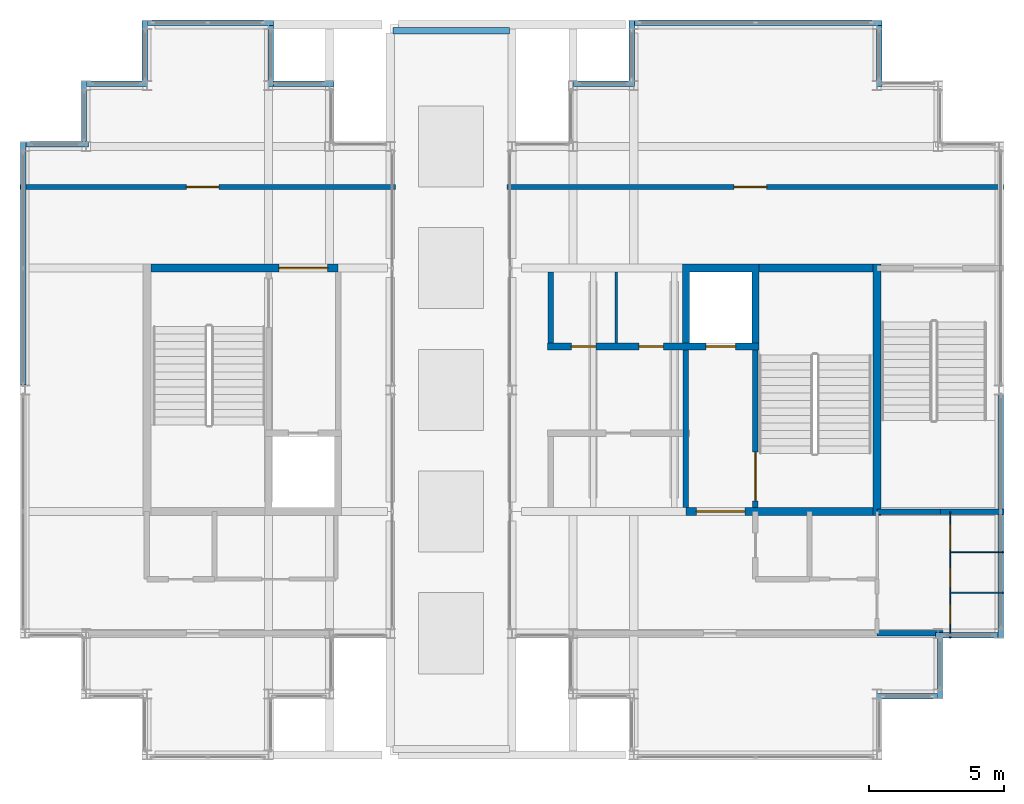
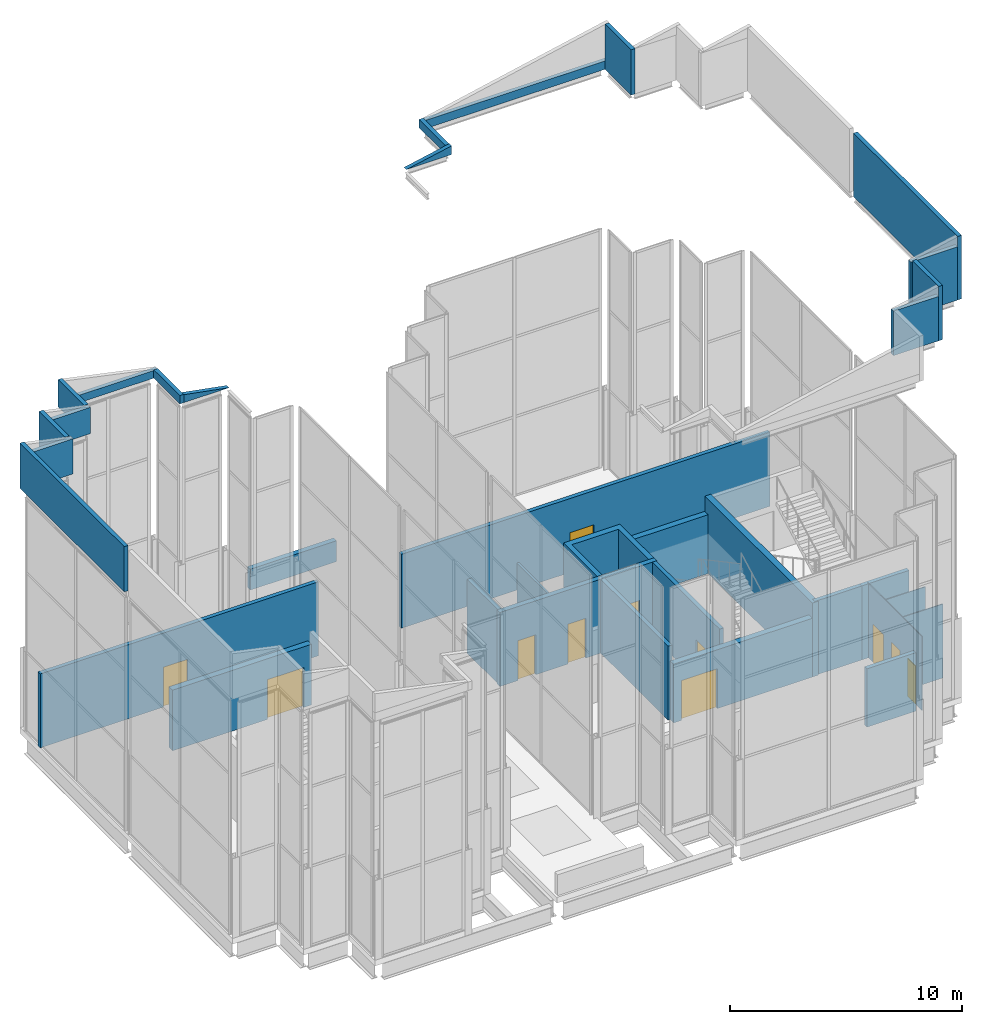
# One storey, part 15 of 23: 35 walls, 11 doors, 11 openings.
"""IFC4 building model written with IfcOpenShell, lengths in metres."""

from ifc_helpers import new_model, si_unit, direction, frame, frame_2d, origin, place, context, subcontext, project, spatial, polyline, rectangle, outline, extrude, material, layer, layer_set, type_object, element, fill, save


model = new_model("IFC4")

# Units and contexts
model_context = context("Model", 3, precision=1e-05, world=origin(), true_north=direction((0.0, 1.0)))
body_context = subcontext(model_context, "Body", "Model", "MODEL_VIEW")
ifc_project = project(units=[si_unit("LENGTHUNIT", "METRE"), si_unit("AREAUNIT", "SQUARE_METRE"), si_unit("VOLUMEUNIT", "CUBIC_METRE"), si_unit("PLANEANGLEUNIT", "RADIAN"), si_unit("MASSUNIT", "GRAM", prefix="KILO")], contexts=[model_context])

# Site, building, storey
site_placement = place(None, origin())
site = spatial("IfcSite", under=ifc_project, at=site_placement, CompositionType="ELEMENT")
building_placement = place(site_placement, origin())
building = spatial("IfcBuilding", under=site, at=building_placement, Name="Caravel Reach Hotel and Residences", CompositionType="ELEMENT")
storey_placement = place(building_placement, frame((0.0, 0.0, 312.800048828125)))
storey = spatial("IfcBuildingStorey", under=building, at=storey_placement, Name="L79", CompositionType="ELEMENT", Elevation=312.800048828125)

# Walls
ifc_material_1 = material(Name="Autoclaved aerated block wall")
ifc_layer_1 = layer(ifc_material_1, 0.199951171875)
ifc_layer_set_1 = layer_set([ifc_layer_1], Name="Compartment wall 200 mm EI 120")
wall_type_1 = type_object("IfcWallType", Name="Compartment wall 200 mm EI 120", PredefinedType="PARTITIONING", material=ifc_layer_set_1)
wall_1_placement = place(storey_placement, frame((32.935791015625, 28.72509765625, 0.0), z_axis=(0.0, 0.0, 1.0), x_axis=(0.0, 1.0, 0.0)))
element("IfcWall", 1, at=wall_1_placement, inside=storey, type_object=wall_type_1, Name="L79 store partition", PredefinedType="PARTITIONING", context=body_context, shape_type="SweptSolid", body=[
    extrude(rectangle(XDim=2.625, YDim=0.199951171875, at=frame_2d((1.3125, 0.0))), origin(), (0.0, 0.0, 1.0), 3.89990234375),
])
wall_2_placement = place(storey_placement, frame((45.0, 18.0, 0.0), z_axis=(0.0, 0.0, 1.0), x_axis=(1.0, 0.0, 0.0)))
element("IfcWall", 2, at=wall_2_placement, inside=storey, type_object=wall_type_1, Name="L79 wall w007", PredefinedType="PARTITIONING", context=body_context, shape_type="SweptSolid", body=[
    extrude(rectangle(XDim=2.43994140625, YDim=0.199951171875, at=frame_2d((1.219970703125, 0.0))), origin(), (0.0, 0.0, 1.0), 3.079833984375),
])

# Wall, opening, door
wall_3_placement = place(storey_placement, frame((31.31005859375, 34.5, 0.0), z_axis=(0.0, 0.0, 1.0), x_axis=(1.0, 0.0, 0.0)))
wall_3 = element("IfcWall", 3, at=wall_3_placement, inside=storey, type_object=wall_type_1, Name="L79 wall w011", PredefinedType="PARTITIONING", context=body_context, shape_type="SweptSolid", body=[
    extrude(rectangle(XDim=18.3798828125, YDim=0.199951171875, at=frame_2d((9.18994140625, 0.0))), origin(), (0.0, 0.0, 1.0), 3.89990234375),
])
opening_1_placement = place(wall_3_placement, frame((8.39990234375, 0.0, 0.0)))
opening_1 = element("IfcOpeningElement", 4, at=opening_1_placement, cuts=wall_3, Name="Opening D79-016", PredefinedType="OPENING", context=body_context, shape_type="SweptSolid", body=[
    extrude(rectangle(XDim=1.199951171875, YDim=2.10009765625, at=frame_2d((0.60009765625, 1.050048828125))), frame((0.0, 0.10986328125, 0.0), z_axis=(0.0, -1.0, 0.0), x_axis=(1.0, 0.0, 0.0)), (0.0, 0.0, 1.0), 0.219970703125),
])
ifc_material_2 = material(Name="Steel fire door leaf", Category="steel")
door_type_1 = type_object("IfcDoorType", Name="Plant room door 1200 x 2100 EI 60", OperationType="SINGLE_SWING_LEFT", PredefinedType="DOOR", material=ifc_material_2)
door_1_placement = place(opening_1_placement, origin())
door_1 = element("IfcDoor", 5, at=door_1_placement, inside=storey, type_object=door_type_1, Name="door D79-016", OperationType="SINGLE_SWING_LEFT", OverallHeight=2.10009765625, OverallWidth=1.199951171875, PredefinedType="DOOR", context=body_context, shape_type="SweptSolid", body=[
    extrude(rectangle(XDim=1.199951171875, YDim=2.10009765625, at=frame_2d((0.60009765625, 1.050048828125))), frame((0.0, 0.02490234375, 0.0), z_axis=(0.0, -1.0, 0.0), x_axis=(1.0, 0.0, 0.0)), (0.0, 0.0, 1.0), 0.050048828125),
])
fill(opening_1, door_1)

wall_4_placement = place(storey_placement, frame((13.31005859375, 34.5, 0.0), z_axis=(0.0, 0.0, 1.0), x_axis=(1.0, 0.0, 0.0)))
wall_4 = element("IfcWall", 6, at=wall_4_placement, inside=storey, type_object=wall_type_1, Name="L79 wall w012", PredefinedType="PARTITIONING", context=body_context, shape_type="SweptSolid", body=[
    extrude(rectangle(XDim=13.8798828125, YDim=0.199951171875, at=frame_2d((6.93994140625, 0.0))), origin(), (0.0, 0.0, 1.0), 3.89990234375),
])
opening_2_placement = place(wall_4_placement, frame((6.14990234375, 0.0, 0.0)))
opening_2 = element("IfcOpeningElement", 7, at=opening_2_placement, cuts=wall_4, Name="Opening D79-018", PredefinedType="OPENING", context=body_context, shape_type="SweptSolid", body=[
    extrude(rectangle(XDim=1.199951171875, YDim=2.10009765625, at=frame_2d((0.60009765625, 1.050048828125))), frame((0.0, 0.10986328125, 0.0), z_axis=(0.0, -1.0, 0.0), x_axis=(1.0, 0.0, 0.0)), (0.0, 0.0, 1.0), 0.219970703125),
])
door_2_placement = place(opening_2_placement, origin())
door_2 = element("IfcDoor", 8, at=door_2_placement, inside=storey, type_object=door_type_1, Name="door D79-018", OperationType="SINGLE_SWING_LEFT", OverallHeight=2.10009765625, OverallWidth=1.199951171875, PredefinedType="DOOR", context=body_context, shape_type="SweptSolid", body=[
    extrude(rectangle(XDim=1.199951171875, YDim=2.10009765625, at=frame_2d((0.60009765625, 1.050048828125))), frame((0.0, 0.02490234375, 0.0), z_axis=(0.0, -1.0, 0.0), x_axis=(1.0, 0.0, 0.0)), (0.0, 0.0, 1.0), 0.050048828125),
])
fill(opening_2, door_2)

ifc_material_3 = material(Name="Concrete C60", Category="concrete")
ifc_layer_2 = layer(ifc_material_3, 0.300048828125)
ifc_layer_set_2 = layer_set([ifc_layer_2], Name="Core wall 300 mm EI 120")
wall_type_2 = type_object("IfcWallType", Name="Core wall 300 mm EI 120", PredefinedType="SHEAR", material=ifc_layer_set_2)
wall_5_placement = place(storey_placement, frame((37.928466796875, 22.5, 0.0), z_axis=(0.0, 0.0, 1.0), x_axis=(1.0, 0.0, 0.0)))
wall_5 = element("IfcWall", 9, at=wall_5_placement, inside=storey, type_object=wall_type_2, Name="L79 core wall S2", PredefinedType="SHEAR", context=body_context, shape_type="SweptSolid", body=[
    extrude(rectangle(XDim=6.921630859375, YDim=0.300048828125, at=frame_2d((3.4609375, 0.0))), origin(), (0.0, 0.0, 1.0), 3.099853515625),
])
opening_3_placement = place(wall_5_placement, frame((0.3857421875, 0.0, 0.0)))
opening_3 = element("IfcOpeningElement", 10, at=opening_3_placement, cuts=wall_5, Name="Opening D79-009", PredefinedType="OPENING", context=body_context, shape_type="SweptSolid", body=[
    extrude(rectangle(XDim=1.800048828125, YDim=2.10009765625, at=frame_2d((0.89990234375, 1.050048828125))), frame((0.0, 0.159912109375, 0.0), z_axis=(0.0, -1.0, 0.0), x_axis=(1.0, 0.0, 0.0)), (0.0, 0.0, 1.0), 0.320068359375),
])
ifc_material_4 = material(Name="Steel fire door leaf", Category="steel")
door_type_2 = type_object("IfcDoorType", Name="Fire lobby door pair 1800 x 2100 EI 90", OperationType="DOUBLE_DOOR_SINGLE_SWING", PredefinedType="DOOR", material=ifc_material_4)
door_3_placement = place(opening_3_placement, origin())
door_3 = element("IfcDoor", 11, at=door_3_placement, inside=storey, type_object=door_type_2, Name="lobby S door pair to corridor", OperationType="DOUBLE_DOOR_SINGLE_SWING", OverallHeight=2.10009765625, OverallWidth=1.800048828125, PredefinedType="DOOR", context=body_context, shape_type="SweptSolid", body=[
    extrude(rectangle(XDim=1.800048828125, YDim=2.10009765625, at=frame_2d((0.89990234375, 1.050048828125))), frame((0.0, 0.02490234375, 0.0), z_axis=(0.0, -1.0, 0.0), x_axis=(1.0, 0.0, 0.0)), (0.0, 0.0, 1.0), 0.050048828125),
])
fill(opening_3, door_3)

wall_6_placement = place(storey_placement, frame((18.14990234375, 31.5, 0.0), z_axis=(0.0, 0.0, 1.0), x_axis=(1.0, 0.0, 0.0)))
wall_6 = element("IfcWall", 12, at=wall_6_placement, inside=storey, type_object=wall_type_2, Name="L79 core wall N1", PredefinedType="SHEAR", context=body_context, shape_type="SweptSolid", body=[
    extrude(rectangle(XDim=6.921630859375, YDim=0.300048828125, at=frame_2d((3.4609375, 0.0))), origin(), (0.0, 0.0, 1.0), 3.199951171875),
])
opening_4_placement = place(wall_6_placement, frame((4.735595703125, 0.0, 0.0)))
opening_4 = element("IfcOpeningElement", 13, at=opening_4_placement, cuts=wall_6, Name="Opening D79-008", PredefinedType="OPENING", context=body_context, shape_type="SweptSolid", body=[
    extrude(rectangle(XDim=1.800048828125, YDim=2.10009765625, at=frame_2d((0.89990234375, 1.050048828125))), frame((0.0, 0.159912109375, 0.0), z_axis=(0.0, -1.0, 0.0), x_axis=(1.0, 0.0, 0.0)), (0.0, 0.0, 1.0), 0.320068359375),
])
door_4_placement = place(opening_4_placement, origin())
door_4 = element("IfcDoor", 14, at=door_4_placement, inside=storey, type_object=door_type_2, Name="lobby N door pair to corridor", OperationType="DOUBLE_DOOR_SINGLE_SWING", OverallHeight=2.10009765625, OverallWidth=1.800048828125, PredefinedType="DOOR", context=body_context, shape_type="SweptSolid", body=[
    extrude(rectangle(XDim=1.800048828125, YDim=2.10009765625, at=frame_2d((0.89990234375, 1.050048828125))), frame((0.0, 0.02490234375, 0.0), z_axis=(0.0, -1.0, 0.0), x_axis=(1.0, 0.0, 0.0)), (0.0, 0.0, 1.0), 0.050048828125),
])
fill(opening_4, door_4)

# Walls
wall_7_placement = place(storey_placement, frame((40.625, 31.5, 0.0), z_axis=(0.0, 0.0, 1.0), x_axis=(1.0, 0.0, 0.0)))
element("IfcWall", 15, at=wall_7_placement, inside=storey, type_object=wall_type_2, Name="L79 core wall N2", PredefinedType="SHEAR", context=body_context, shape_type="SweptSolid", body=[
    extrude(rectangle(XDim=4.22509765625, YDim=0.300048828125, at=frame_2d((2.112548828125, 0.0))), origin(), (0.0, 0.0, 1.0), 3.099853515625),
])
wall_8_placement = place(storey_placement, frame((45.0, 22.35009765625, 0.0), z_axis=(0.0, 0.0, 1.0), x_axis=(0.0, 1.0, 0.0)))
element("IfcWall", 16, at=wall_8_placement, inside=storey, type_object=wall_type_2, Name="L79 core wall E", PredefinedType="SHEAR", context=body_context, shape_type="SweptSolid", body=[
    extrude(rectangle(XDim=9.2998046875, YDim=0.300048828125, at=frame_2d((4.64990234375, 0.0))), origin(), (0.0, 0.0, 1.0), 3.89990234375),
])
ifc_material_5 = material(Name="Insulated rainscreen wall, aluminium cladding", Category="aluminium")
ifc_layer_3 = layer(ifc_material_5, 0.199951171875)
ifc_layer_set_3 = layer_set([ifc_layer_3], Name="EW4 Crown gable cladding 200")
wall_type_3 = type_object("IfcWallType", Name="EW4 Crown gable cladding 200", PredefinedType="SOLIDWALL", material=ifc_layer_set_3)
wall_9_placement = place(storey_placement, frame((44.97509765625, 15.675048828125, 21.0), z_axis=(0.0, 0.0, 1.0), x_axis=(1.0, 0.0, 0.0)))
element("IfcWall", 17, at=wall_9_placement, inside=storey, type_object=wall_type_3, Name="Crown cladding east 2.1", PredefinedType="SOLIDWALL", context=body_context, shape_type="SweptSolid", body=[
    extrude(rectangle(XDim=2.25, YDim=0.199951171875, at=frame_2d((1.125, 0.0))), origin(), (0.0, 0.0, 1.0), 2.34423828125),
])
wall_10_placement = place(storey_placement, frame((47.324951171875, 15.574951171875, 21.0), z_axis=(0.0, 0.0, 1.0), x_axis=(0.0, 1.0, 0.0)))
element("IfcWall", 18, at=wall_10_placement, inside=storey, type_object=wall_type_3, Name="Crown cladding east 3.1", PredefinedType="SOLIDWALL", context=body_context, shape_type="SweptSolid", body=[
    extrude(rectangle(XDim=2.25, YDim=0.199951171875, at=frame_2d((1.125, 0.0))), origin(), (0.0, 0.0, 1.0), 2.86376953125),
])
wall_11_placement = place(storey_placement, frame((47.14990234375, 17.925048828125, 21.0), z_axis=(0.0, 0.0, 1.0), x_axis=(1.0, 0.0, 0.0)))
element("IfcWall", 19, at=wall_11_placement, inside=storey, type_object=wall_type_3, Name="Crown cladding east 4.1", PredefinedType="SOLIDWALL", context=body_context, shape_type="SweptSolid", body=[
    extrude(rectangle(XDim=2.3251953125, YDim=0.199951171875, at=frame_2d((1.16259765625, 0.0))), origin(), (0.0, 0.0, 1.0), 2.806396484375),
])
wall_12_placement = place(storey_placement, frame((49.574951171875, 17.824951171875, 21.0), z_axis=(0.0, 0.0, 1.0), x_axis=(0.0, 1.0, 0.0)))
element("IfcWall", 20, at=wall_12_placement, inside=storey, type_object=wall_type_3, Name="Crown cladding east 5.1", PredefinedType="SOLIDWALL", context=body_context, shape_type="SweptSolid", body=[
    extrude(rectangle(XDim=9.0, YDim=0.199951171875, at=frame_2d((4.5, 0.0))), origin(), (0.0, 0.0, 1.0), 3.341796875),
])
wall_13_placement = place(storey_placement, frame((45.074951171875, 38.22509765625, 21.0), z_axis=(0.0, 0.0, 1.0), x_axis=(0.0, 1.0, 0.0)))
element("IfcWall", 21, at=wall_13_placement, inside=storey, type_object=wall_type_3, Name="Crown cladding east 9.1", PredefinedType="SOLIDWALL", context=body_context, shape_type="SweptSolid", body=[
    extrude(rectangle(XDim=2.25, YDim=0.199951171875, at=frame_2d((1.125, 0.0))), origin(), (0.0, 0.0, 1.0), 2.385498046875),
])
wall_14_placement = place(storey_placement, frame((45.175048828125, 40.574951171875, 21.0), z_axis=(0.0, 0.0, 1.0), x_axis=(-1.0, 0.0, 0.0)))
element("IfcWall", 22, at=wall_14_placement, inside=storey, type_object=wall_type_3, Name="Crown cladding east 10.1", PredefinedType="SOLIDWALL", context=body_context, shape_type="SweptSolid", body=[
    extrude(rectangle(XDim=9.150146484375, YDim=0.199951171875, at=frame_2d((4.5751953125, 0.0))), origin(), (0.0, 0.0, 1.0), 0.441650390625),
])
wall_15_placement = place(storey_placement, frame((35.925048828125, 40.675048828125, 21.0), z_axis=(0.0, 0.0, 1.0), x_axis=(0.0, -1.0, 0.0)))
element("IfcWall", 23, at=wall_15_placement, inside=storey, type_object=wall_type_3, Name="Crown cladding east 11.1", PredefinedType="SOLIDWALL", context=body_context, shape_type="SweptSolid", body=[
    extrude(rectangle(XDim=2.25, YDim=0.199951171875, at=frame_2d((1.125, 0.0))), origin(), (0.0, 0.0, 1.0), 0.4404296875),
])
wall_16_placement = place(storey_placement, frame((36.02490234375, 38.324951171875, 21.0), z_axis=(0.0, 0.0, 1.0), x_axis=(-1.0, 0.0, 0.0)))
element("IfcWall", 24, at=wall_16_placement, inside=storey, type_object=wall_type_3, Name="Crown cladding east 12.1", PredefinedType="SOLIDWALL", context=body_context, shape_type="SweptSolid", body=[
    extrude(outline(polyline([(0.0, 0.0), (2.25, 0.0), (0.0, 0.461669921875), (0.0, 0.0)])), frame((0.0, 0.10009765625, 0.0), z_axis=(0.0, -1.0, 0.0), x_axis=(1.0, 0.0, 0.0)), (0.0, 0.0, 1.0), 0.199951171875),
])
wall_17_placement = place(storey_placement, frame((24.925048828125, 38.324951171875, 12.599853515625), z_axis=(0.0, 0.0, 1.0), x_axis=(-1.0, 0.0, 0.0)))
element("IfcWall", 25, at=wall_17_placement, inside=storey, type_object=wall_type_3, Name="Crown cladding west 28.1", PredefinedType="SOLIDWALL", context=body_context, shape_type="SweptSolid", body=[
    extrude(outline(polyline([(0.0, 0.0), (2.25, 0.0), (2.25, 0.41943359375), (0.0, 0.0)])), frame((0.0, 0.10009765625, 0.0), z_axis=(0.0, -1.0, 0.0), x_axis=(1.0, 0.0, 0.0)), (0.0, 0.0, 1.0), 0.199951171875),
])
wall_18_placement = place(storey_placement, frame((22.574951171875, 38.22509765625, 12.599853515625), z_axis=(0.0, 0.0, 1.0), x_axis=(0.0, 1.0, 0.0)))
element("IfcWall", 26, at=wall_18_placement, inside=storey, type_object=wall_type_3, Name="Crown cladding west 29.1", PredefinedType="SOLIDWALL", context=body_context, shape_type="SweptSolid", body=[
    extrude(rectangle(XDim=2.25, YDim=0.199951171875, at=frame_2d((1.125, 0.0))), origin(), (0.0, 0.0, 1.0), 0.440673828125),
])
wall_19_placement = place(storey_placement, frame((22.675048828125, 40.574951171875, 12.599853515625), z_axis=(0.0, 0.0, 1.0), x_axis=(-1.0, 0.0, 0.0)))
element("IfcWall", 27, at=wall_19_placement, inside=storey, type_object=wall_type_3, Name="Crown cladding west 30.1", PredefinedType="SOLIDWALL", context=body_context, shape_type="SweptSolid", body=[
    extrude(rectangle(XDim=4.650146484375, YDim=0.199951171875, at=frame_2d((2.3251953125, 0.0))), origin(), (0.0, 0.0, 1.0), 0.3994140625),
])
wall_20_placement = place(storey_placement, frame((17.925048828125, 40.675048828125, 12.599853515625), z_axis=(0.0, 0.0, 1.0), x_axis=(0.0, -1.0, 0.0)))
element("IfcWall", 28, at=wall_20_placement, inside=storey, type_object=wall_type_3, Name="Crown cladding west 31.1", PredefinedType="SOLIDWALL", context=body_context, shape_type="SweptSolid", body=[
    extrude(rectangle(XDim=2.25, YDim=0.199951171875, at=frame_2d((1.125, 0.0))), origin(), (0.0, 0.0, 1.0), 1.428955078125),
])
wall_21_placement = place(storey_placement, frame((18.02490234375, 38.324951171875, 12.599853515625), z_axis=(0.0, 0.0, 1.0), x_axis=(-1.0, 0.0, 0.0)))
element("IfcWall", 29, at=wall_21_placement, inside=storey, type_object=wall_type_3, Name="Crown cladding west 32.1", PredefinedType="SOLIDWALL", context=body_context, shape_type="SweptSolid", body=[
    extrude(rectangle(XDim=2.25, YDim=0.199951171875, at=frame_2d((1.125, 0.0))), origin(), (0.0, 0.0, 1.0), 1.3876953125),
])
wall_22_placement = place(storey_placement, frame((15.675048828125, 38.425048828125, 12.599853515625), z_axis=(0.0, 0.0, 1.0), x_axis=(0.0, -1.0, 0.0)))
element("IfcWall", 30, at=wall_22_placement, inside=storey, type_object=wall_type_3, Name="Crown cladding west 33.1", PredefinedType="SOLIDWALL", context=body_context, shape_type="SweptSolid", body=[
    extrude(rectangle(XDim=2.25, YDim=0.199951171875, at=frame_2d((1.125, 0.0))), origin(), (0.0, 0.0, 1.0), 1.9072265625),
])
wall_23_placement = place(storey_placement, frame((15.85009765625, 36.074951171875, 12.599853515625), z_axis=(0.0, 0.0, 1.0), x_axis=(-1.0, 0.0, 0.0)))
element("IfcWall", 31, at=wall_23_placement, inside=storey, type_object=wall_type_3, Name="Crown cladding west 34.1", PredefinedType="SOLIDWALL", context=body_context, shape_type="SweptSolid", body=[
    extrude(rectangle(XDim=2.3251953125, YDim=0.199951171875, at=frame_2d((1.16259765625, 0.0))), origin(), (0.0, 0.0, 1.0), 1.85009765625),
])
wall_24_placement = place(storey_placement, frame((13.425048828125, 36.175048828125, 12.599853515625), z_axis=(0.0, 0.0, 1.0), x_axis=(0.0, -1.0, 0.0)))
element("IfcWall", 32, at=wall_24_placement, inside=storey, type_object=wall_type_3, Name="Crown cladding west 35.1", PredefinedType="SOLIDWALL", context=body_context, shape_type="SweptSolid", body=[
    extrude(rectangle(XDim=9.0, YDim=0.199951171875, at=frame_2d((4.5, 0.0))), origin(), (0.0, 0.0, 1.0), 2.385498046875),
])
ifc_material_6 = material(Name="Autoclaved aerated block wall")
ifc_layer_4 = layer(ifc_material_6, 0.199951171875)
ifc_layer_set_4 = layer_set([ifc_layer_4], Name="Fire lobby wall 200 mm EI 120")
wall_type_4 = type_object("IfcWallType", Name="Fire lobby wall 200 mm EI 120", PredefinedType="PARTITIONING", material=ifc_layer_set_4)
wall_25_placement = place(storey_placement, frame((37.928466796875, 22.64990234375, 0.0), z_axis=(0.0, 0.0, 1.0), x_axis=(0.0, 1.0, 0.0)))
element("IfcWall", 33, at=wall_25_placement, inside=storey, type_object=wall_type_4, Name="L79 lobby E closing wall", PredefinedType="PARTITIONING", context=body_context, shape_type="SweptSolid", body=[
    extrude(rectangle(XDim=5.8251953125, YDim=0.199951171875, at=frame_2d((2.91259765625, 0.0))), origin(), (0.0, 0.0, 1.0), 3.89990234375),
])
ifc_material_7 = material(Name="Reinforced concrete upstand, aluminium coping", Category="concrete")
ifc_layer_5 = layer(ifc_material_7, 0.25)
ifc_layer_set_5 = layer_set([ifc_layer_5], Name="PA2 Roof parapet 200")
wall_type_5 = type_object("IfcWallType", Name="PA2 Roof parapet 200", PredefinedType="PARAPET", material=ifc_layer_set_5)
wall_26_placement = place(storey_placement, frame((27.10009765625, 40.27490234375, 0.0), z_axis=(0.0, 0.0, 1.0), x_axis=(1.0, 0.0, 0.0)))
element("IfcWall", 34, at=wall_26_placement, inside=storey, type_object=wall_type_5, Name="Slot deck parapet north", PredefinedType="PARAPET", context=body_context, shape_type="SweptSolid", body=[
    extrude(rectangle(XDim=4.2998046875, YDim=0.25, at=frame_2d((2.14990234375, 0.0))), origin(), (0.0, 0.0, 1.0), 1.099853515625),
])
ifc_material_8 = material(Name="Gypsum board on steel stud", Category="steel")
ifc_layer_6 = layer(ifc_material_8, 0.10009765625)
ifc_layer_set_6 = layer_set([ifc_layer_6], Name="Partition 100 mm")
wall_type_6 = type_object("IfcWallType", Name="Partition 100 mm", PredefinedType="PARTITIONING", material=ifc_layer_set_6)
wall_27_placement = place(storey_placement, frame((35.357177734375, 28.72509765625, 0.0), z_axis=(0.0, 0.0, 1.0), x_axis=(0.0, 1.0, 0.0)))
element("IfcWall", 35, at=wall_27_placement, inside=storey, type_object=wall_type_6, Name="L79 store partition", PredefinedType="PARTITIONING", context=body_context, shape_type="SweptSolid", body=[
    extrude(rectangle(XDim=2.625, YDim=0.10009765625, at=frame_2d((1.3125, 0.0))), origin(), (0.0, 0.0, 1.0), 3.89990234375),
])
ifc_material_9 = material(Name="Concrete C60", Category="concrete")
ifc_layer_7 = layer(ifc_material_9, 0.25)
ifc_layer_set_7 = layer_set([ifc_layer_7], Name="Shaft wall 250 mm EI 120")
wall_type_7 = type_object("IfcWallType", Name="Shaft wall 250 mm EI 120", PredefinedType="SHEAR", material=ifc_layer_set_7)
wall_28_placement = place(storey_placement, origin())
element("IfcWall", 36, at=wall_28_placement, inside=storey, type_object=wall_type_7, Name="L79 lift shaft wall N1", PredefinedType="SHEAR", context=body_context, shape_type="SweptSolid", body=[
    extrude(outline(polyline([(37.803466796875, 28.72509765625), (38.053466796875, 28.72509765625), (38.053466796875, 31.35009765625), (40.375, 31.35009765625), (40.375, 28.72509765625), (40.625, 28.72509765625), (40.625, 31.64990234375), (37.803466796875, 31.64990234375), (37.803466796875, 28.72509765625)])), origin(), (0.0, 0.0, 1.0), 3.89990234375),
])

# Wall, openings, doors
wall_29_placement = place(storey_placement, frame((32.810791015625, 28.60009765625, 0.0), z_axis=(0.0, 0.0, 1.0), x_axis=(1.0, 0.0, 0.0)))
wall_29 = element("IfcWall", 37, at=wall_29_placement, inside=storey, type_object=wall_type_7, Name="L79 lobby wall N1", PredefinedType="SHEAR", context=body_context, shape_type="SweptSolid", body=[
    extrude(rectangle(XDim=7.814208984375, YDim=0.25, at=frame_2d((3.9072265625, 0.0))), origin(), (0.0, 0.0, 1.0), 3.89990234375),
])
opening_5_placement = place(wall_29_placement, frame((5.853515625, 0.0, 0.0)))
opening_5 = element("IfcOpeningElement", 38, at=opening_5_placement, cuts=wall_29, Name="Opening D79-002", PredefinedType="OPENING", context=body_context, shape_type="SweptSolid", body=[
    extrude(rectangle(XDim=1.10009765625, YDim=2.10009765625, at=frame_2d((0.550048828125, 1.050048828125))), frame((0.0, 0.135009765625, 0.0), z_axis=(0.0, -1.0, 0.0), x_axis=(1.0, 0.0, 0.0)), (0.0, 0.0, 1.0), 0.27001953125),
])
opening_6_placement = place(wall_29_placement, frame((0.8857421875, 0.0, 0.0)))
opening_6 = element("IfcOpeningElement", 39, at=opening_6_placement, cuts=wall_29, Name="Opening D79-004", PredefinedType="OPENING", context=body_context, shape_type="SweptSolid", body=[
    extrude(rectangle(XDim=0.89990234375, YDim=2.10009765625, at=frame_2d((0.449951171875, 1.050048828125))), frame((0.0, 0.135009765625, 0.0), z_axis=(0.0, -1.0, 0.0), x_axis=(1.0, 0.0, 0.0)), (0.0, 0.0, 1.0), 0.27001953125),
])
opening_7_placement = place(wall_29_placement, frame((3.382080078125, 0.0, 0.0)))
opening_7 = element("IfcOpeningElement", 40, at=opening_7_placement, cuts=wall_29, Name="Opening D79-005", PredefinedType="OPENING", context=body_context, shape_type="SweptSolid", body=[
    extrude(rectangle(XDim=0.89990234375, YDim=2.10009765625, at=frame_2d((0.449951171875, 1.050048828125))), frame((0.0, 0.135009765625, 0.0), z_axis=(0.0, -1.0, 0.0), x_axis=(1.0, 0.0, 0.0)), (0.0, 0.0, 1.0), 0.27001953125),
])
ifc_material_10 = material(Name="Stainless steel landing door", Category="steel")
door_type_3 = type_object("IfcDoorType", Name="Landing door LD 1100 x 2100 sliding", OperationType="DOUBLE_DOOR_SLIDING", PredefinedType="DOOR", material=ifc_material_10)
door_5_placement = place(opening_5_placement, origin())
door_5 = element("IfcDoor", 41, at=door_5_placement, inside=storey, type_object=door_type_3, Name="FL2 landing door", OperationType="DOUBLE_DOOR_SLIDING", OverallHeight=2.10009765625, OverallWidth=1.10009765625, PredefinedType="DOOR", context=body_context, shape_type="SweptSolid", body=[
    extrude(rectangle(XDim=1.10009765625, YDim=2.10009765625, at=frame_2d((0.550048828125, 1.050048828125))), frame((0.0, 0.02490234375, 0.0), z_axis=(0.0, -1.0, 0.0), x_axis=(1.0, 0.0, 0.0)), (0.0, 0.0, 1.0), 0.050048828125),
])
fill(opening_5, door_5)
ifc_material_11 = material(Name="Steel fire door leaf", Category="steel")
door_type_4 = type_object("IfcDoorType", Name="Riser door 900 x 2100 EI 60", OperationType="SINGLE_SWING_LEFT", PredefinedType="DOOR", material=ifc_material_11)
door_6_placement = place(opening_6_placement, origin())
door_6 = element("IfcDoor", 42, at=door_6_placement, inside=storey, type_object=door_type_4, Name="Telecom room door", OperationType="SINGLE_SWING_LEFT", OverallHeight=2.10009765625, OverallWidth=0.89990234375, PredefinedType="DOOR", context=body_context, shape_type="SweptSolid", body=[
    extrude(rectangle(XDim=0.89990234375, YDim=2.10009765625, at=frame_2d((0.449951171875, 1.050048828125))), frame((0.0, 0.02490234375, 0.0), z_axis=(0.0, -1.0, 0.0), x_axis=(1.0, 0.0, 0.0)), (0.0, 0.0, 1.0), 0.050048828125),
])
fill(opening_6, door_6)
door_7_placement = place(opening_7_placement, origin())
door_7 = element("IfcDoor", 43, at=door_7_placement, inside=storey, type_object=door_type_4, Name="Recycling store door", OperationType="SINGLE_SWING_LEFT", OverallHeight=2.10009765625, OverallWidth=0.89990234375, PredefinedType="DOOR", context=body_context, shape_type="SweptSolid", body=[
    extrude(rectangle(XDim=0.89990234375, YDim=2.10009765625, at=frame_2d((0.449951171875, 1.050048828125))), frame((0.0, 0.02490234375, 0.0), z_axis=(0.0, -1.0, 0.0), x_axis=(1.0, 0.0, 0.0)), (0.0, 0.0, 1.0), 0.050048828125),
])
fill(opening_7, door_7)

# Wall, opening, door
ifc_material_12 = material(Name="Concrete C60", Category="concrete")
ifc_layer_8 = layer(ifc_material_12, 0.199951171875)
ifc_layer_set_8 = layer_set([ifc_layer_8], Name="Stair enclosure wall 200 mm EI 120")
wall_type_8 = type_object("IfcWallType", Name="Stair enclosure wall 200 mm EI 120", PredefinedType="SHEAR", material=ifc_layer_set_8)
wall_30_placement = place(storey_placement, frame((40.5, 22.64990234375, 0.0), z_axis=(0.0, 0.0, 1.0), x_axis=(0.0, 1.0, 0.0)))
wall_30 = element("IfcWall", 44, at=wall_30_placement, inside=storey, type_object=wall_type_8, Name="L79 stair B wall", PredefinedType="SHEAR", context=body_context, shape_type="SweptSolid", body=[
    extrude(rectangle(XDim=5.8251953125, YDim=0.199951171875, at=frame_2d((2.91259765625, 0.0))), origin(), (0.0, 0.0, 1.0), 3.89990234375),
])
opening_8_placement = place(wall_30_placement, frame((0.25, 0.0, 0.0)))
opening_8 = element("IfcOpeningElement", 45, at=opening_8_placement, cuts=wall_30, Name="Opening D79-007", PredefinedType="OPENING", context=body_context, shape_type="SweptSolid", body=[
    extrude(rectangle(XDim=1.800048828125, YDim=2.10009765625, at=frame_2d((0.89990234375, 1.050048828125))), frame((0.0, 0.10986328125, 0.0), z_axis=(0.0, -1.0, 0.0), x_axis=(1.0, 0.0, 0.0)), (0.0, 0.0, 1.0), 0.219970703125),
])
ifc_material_13 = material(Name="Steel fire door leaf", Category="steel")
door_type_5 = type_object("IfcDoorType", Name="Stair door pair 1800 x 2100 EI 90", OperationType="DOUBLE_DOOR_SINGLE_SWING", PredefinedType="DOOR", material=ifc_material_13)
door_8_placement = place(opening_8_placement, origin())
door_8 = element("IfcDoor", 46, at=door_8_placement, inside=storey, type_object=door_type_5, Name="stair B door pair", OperationType="DOUBLE_DOOR_SINGLE_SWING", OverallHeight=2.10009765625, OverallWidth=1.800048828125, PredefinedType="DOOR", context=body_context, shape_type="SweptSolid", body=[
    extrude(rectangle(XDim=1.800048828125, YDim=2.10009765625, at=frame_2d((0.89990234375, 1.050048828125))), frame((0.0, 0.02490234375, 0.0), z_axis=(0.0, -1.0, 0.0), x_axis=(1.0, 0.0, 0.0)), (0.0, 0.0, 1.0), 0.050048828125),
])
fill(opening_8, door_8)

# Walls
for number, where, z_axis, x_axis, name in (
    (47, (45.0, 22.5, 0.0), (0.0, 0.0, 1.0), (1.0, 0.0, 0.0), "L79 wall w017"),
    (48, (47.344970703125, 22.5, 0.0), (0.0, 0.0, 1.0), (1.0, 0.0, 0.0), "L79 wall w017"),
):
    element("IfcWall", number, at=place(storey_placement, frame(where, z_axis=z_axis, x_axis=x_axis)), inside=storey, type_object=wall_type_8, Name=name, PredefinedType="SHEAR", context=body_context, shape_type="SweptSolid", body=[
        extrude(rectangle(XDim=2.344970703125, YDim=0.199951171875, at=frame_2d((1.17236328125, 0.0))), origin(), (0.0, 0.0, 1.0), 3.89990234375),
    ])
ifc_material_14 = material(Name="Laminate cubicle panel")
ifc_layer_9 = layer(ifc_material_14, 0.0400390625)
ifc_layer_set_9 = layer_set([ifc_layer_9], Name="WC cubicle partition 40 mm")
wall_type_9 = type_object("IfcWallType", Name="WC cubicle partition 40 mm", PredefinedType="PARTITIONING", material=ifc_layer_set_9)
for number, where, z_axis, x_axis, name in (
    (49, (49.68994140625, 19.5, 0.0), (0.0, 0.0, 1.0), (-1.0, 0.0, 0.0), "L79 wall cbr09.d1"),
    (50, (49.68994140625, 21.0, 0.0), (0.0, 0.0, 1.0), (-1.0, 0.0, 0.0), "L79 wall cbr09.d2"),
):
    element("IfcWall", number, at=place(storey_placement, frame(where, z_axis=z_axis, x_axis=x_axis)), inside=storey, type_object=wall_type_9, Name=name, PredefinedType="PARTITIONING", context=body_context, shape_type="SweptSolid", body=[
        extrude(rectangle(XDim=1.989990234375, YDim=0.0400390625, at=frame_2d((0.9951171875, 0.0))), origin(), (0.0, 0.0, 1.0), 3.89990234375),
    ])

# Wall, openings, doors
wall_31_placement = place(storey_placement, frame((47.699951171875, 17.81005859375, 0.0), z_axis=(0.0, 0.0, 1.0), x_axis=(0.0, 1.0, 0.0)))
wall_31 = element("IfcWall", 51, at=wall_31_placement, inside=storey, type_object=wall_type_9, Name="L79 wall cbr09.f", PredefinedType="PARTITIONING", context=body_context, shape_type="SweptSolid", body=[
    extrude(rectangle(XDim=4.68994140625, YDim=0.0400390625, at=frame_2d((2.344970703125, 0.0))), origin(), (0.0, 0.0, 1.0), 3.89990234375),
])
opening_9_placement = place(wall_31_placement, frame((0.550048828125, 0.0, 0.0)))
opening_9 = element("IfcOpeningElement", 52, at=opening_9_placement, cuts=wall_31, Name="Opening D79-020", PredefinedType="OPENING", context=body_context, shape_type="SweptSolid", body=[
    extrude(rectangle(XDim=0.699951171875, YDim=2.0, at=frame_2d((0.35009765625, 1.0))), frame((0.0, 0.030029296875, 0.0), z_axis=(0.0, -1.0, 0.0), x_axis=(1.0, 0.0, 0.0)), (0.0, 0.0, 1.0), 0.06005859375),
])
opening_10_placement = place(wall_31_placement, frame((1.89990234375, 0.0, 0.0)))
opening_10 = element("IfcOpeningElement", 53, at=opening_10_placement, cuts=wall_31, Name="Opening D79-021", PredefinedType="OPENING", context=body_context, shape_type="SweptSolid", body=[
    extrude(rectangle(XDim=0.699951171875, YDim=2.0, at=frame_2d((0.35009765625, 1.0))), frame((0.0, 0.030029296875, 0.0), z_axis=(0.0, -1.0, 0.0), x_axis=(1.0, 0.0, 0.0)), (0.0, 0.0, 1.0), 0.06005859375),
])
opening_11_placement = place(wall_31_placement, frame((3.300048828125, 0.0, 0.0)))
opening_11 = element("IfcOpeningElement", 54, at=opening_11_placement, cuts=wall_31, Name="Opening D79-022", PredefinedType="OPENING", context=body_context, shape_type="SweptSolid", body=[
    extrude(rectangle(XDim=0.89990234375, YDim=2.0, at=frame_2d((0.449951171875, 1.0))), frame((0.0, 0.030029296875, 0.0), z_axis=(0.0, -1.0, 0.0), x_axis=(1.0, 0.0, 0.0)), (0.0, 0.0, 1.0), 0.06005859375),
])
ifc_material_15 = material(Name="Timber and steel door leaf", Category="steel")
door_type_6 = type_object("IfcDoorType", Name="Accessible cubicle door 900 x 2000", OperationType="SINGLE_SWING_LEFT", PredefinedType="DOOR", material=ifc_material_15)
door_9_placement = place(opening_11_placement, origin())
door_9 = element("IfcDoor", 55, at=door_9_placement, inside=storey, type_object=door_type_6, Name="door D79-022", OperationType="SINGLE_SWING_RIGHT", OverallHeight=2.0, OverallWidth=0.89990234375, PredefinedType="DOOR", context=body_context, shape_type="SweptSolid", body=[
    extrude(rectangle(XDim=0.89990234375, YDim=2.0, at=frame_2d((0.449951171875, 1.0))), frame((0.0, 0.019775390625, 0.0), z_axis=(0.0, -1.0, 0.0), x_axis=(1.0, 0.0, 0.0)), (0.0, 0.0, 1.0), 0.03955078125),
])
fill(opening_11, door_9)
ifc_material_16 = material(Name="Timber and steel door leaf", Category="steel")
door_type_7 = type_object("IfcDoorType", Name="WC cubicle door 700 x 2000", OperationType="SINGLE_SWING_LEFT", PredefinedType="DOOR", material=ifc_material_16)
door_10_placement = place(opening_9_placement, origin())
door_10 = element("IfcDoor", 56, at=door_10_placement, inside=storey, type_object=door_type_7, Name="door D79-020", OperationType="SINGLE_SWING_LEFT", OverallHeight=2.0, OverallWidth=0.699951171875, PredefinedType="DOOR", context=body_context, shape_type="SweptSolid", body=[
    extrude(rectangle(XDim=0.699951171875, YDim=2.0, at=frame_2d((0.35009765625, 1.0))), frame((0.0, 0.019775390625, 0.0), z_axis=(0.0, -1.0, 0.0), x_axis=(1.0, 0.0, 0.0)), (0.0, 0.0, 1.0), 0.03955078125),
])
fill(opening_9, door_10)
door_11_placement = place(opening_10_placement, origin())
door_11 = element("IfcDoor", 57, at=door_11_placement, inside=storey, type_object=door_type_7, Name="door D79-021", OperationType="SINGLE_SWING_RIGHT", OverallHeight=2.0, OverallWidth=0.699951171875, PredefinedType="DOOR", context=body_context, shape_type="SweptSolid", body=[
    extrude(rectangle(XDim=0.699951171875, YDim=2.0, at=frame_2d((0.35009765625, 1.0))), frame((0.0, 0.019775390625, 0.0), z_axis=(0.0, -1.0, 0.0), x_axis=(1.0, 0.0, 0.0)), (0.0, 0.0, 1.0), 0.03955078125),
])
fill(opening_10, door_11)

save(model, "model.ifc")
